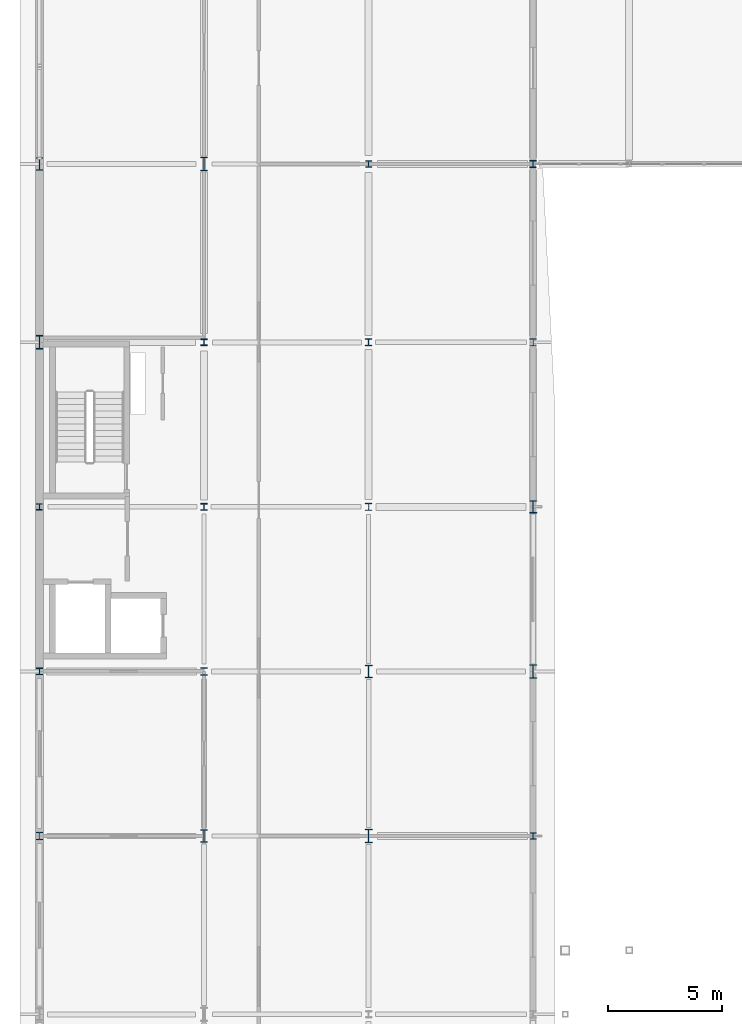
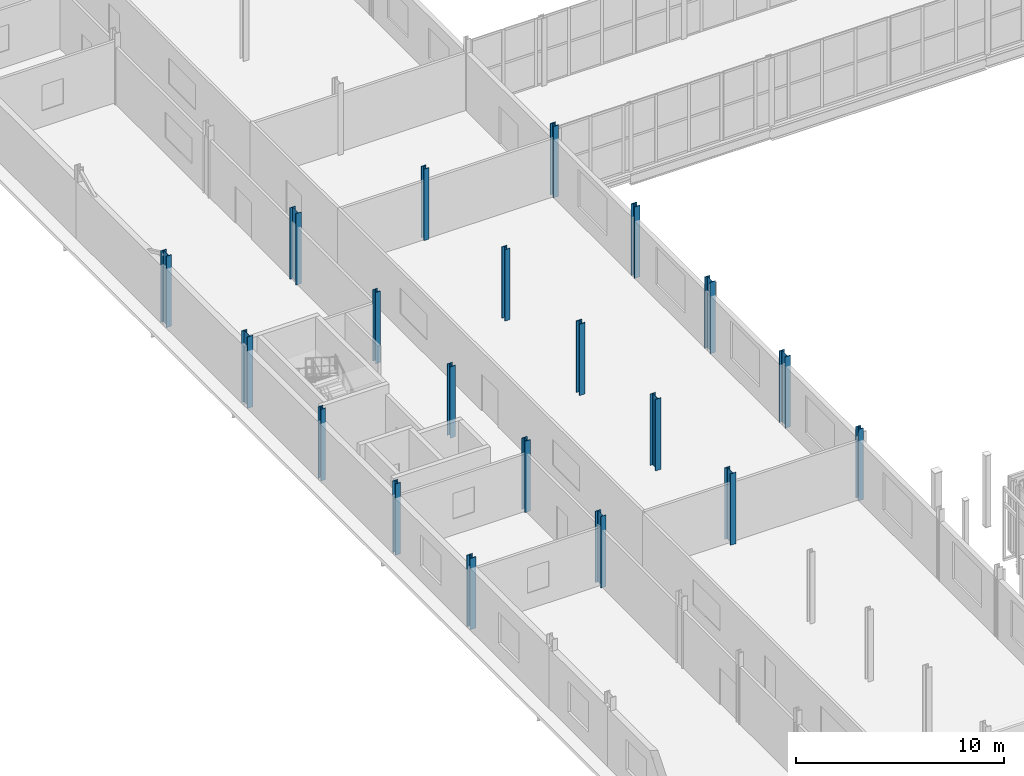
# One storey, part 13 of 138: 20 columns.
"""IFC4 building model written with IfcOpenShell, lengths in metres."""

from ifc_helpers import new_model, si_unit, direction, frame, origin, origin_2d, place, context, subcontext, project, spatial, i_section, extrude, material, material_profile, profile_set, type_object, element, save


model = new_model("IFC4")

# Units and contexts
model_context = context("Model", 3, precision=1e-05, world=origin(), true_north=direction((0.0, 1.0)))
body_context = subcontext(model_context, "Body", "Model", "MODEL_VIEW")
ifc_project = project(units=[si_unit("LENGTHUNIT", "METRE"), si_unit("AREAUNIT", "SQUARE_METRE"), si_unit("VOLUMEUNIT", "CUBIC_METRE"), si_unit("PLANEANGLEUNIT", "RADIAN"), si_unit("MASSUNIT", "GRAM", prefix="KILO")], contexts=[model_context])

# Site, building, storey
site_placement = place(None, origin())
site = spatial("IfcSite", under=ifc_project, at=site_placement, CompositionType="ELEMENT")
building_placement = place(site_placement, origin())
building = spatial("IfcBuilding", under=site, at=building_placement, Name="Vinh Khe Railworks Police Headquarters", CompositionType="ELEMENT")
storey_placement = place(building_placement, frame((0.0, 0.0, 9.0)))
storey = spatial("IfcBuildingStorey", under=building, at=storey_placement, Name="L02", CompositionType="ELEMENT", Elevation=9.0)

# Columns
ifc_material = material(Name="Steel S355JR", Category="steel")
ifc_material_profile_1 = material_profile(ifc_material, i_section(OverallWidth=0.300048828125, OverallDepth=0.550048828125, WebThickness=0.014892578125, FlangeThickness=0.029052734375, FilletRadius=0.027099609375, at=origin_2d()), Name="HEB 550")
ifc_profile_set_1 = profile_set([ifc_material_profile_1], Name="Steel S355JR")
column_type_1 = type_object("IfcColumnType", Name="Steel Column HEB 550", PredefinedType="COLUMN", material=ifc_profile_set_1)
for number, where, z_axis, x_axis, name in (
    (1, (0.60009765625, 96.0, 0.0), (0.0, 0.0, 1.0), (1.0, 0.0, 0.0), "Column COL-L02-SC-05-0130"),
    (2, (7.800048828125, 66.60009765625, 0.0), (0.0, 0.0, 1.0), (1.0, 0.0, 0.0), "Column COL-L02-SC-05-0257"),
    (3, (15.0, 73.800048828125, 0.0), (0.0, 0.0, 1.0), (1.0, 0.0, 0.0), "Column COL-L02-SC-05-0434"),
    (4, (22.199951171875, 81.0, 0.0), (0.0, 0.0, 1.0), (1.0, 0.0, 0.0), "Column COL-L02-SC-05-0601"),
):
    element("IfcColumn", number, at=place(storey_placement, frame(where, z_axis=z_axis, x_axis=x_axis)), inside=storey, type_object=column_type_1, Name=name, PredefinedType="COLUMN", context=body_context, shape_type="SweptSolid", body=[
        extrude(i_section(OverallWidth=0.300048828125, OverallDepth=0.550048828125, WebThickness=0.014892578125, FlangeThickness=0.029052734375, FilletRadius=0.027099609375, at=origin_2d()), origin(), (0.0, 0.0, 1.0), 4.199951171875),
    ])
ifc_material_profile_2 = material_profile(ifc_material, i_section(OverallWidth=0.300048828125, OverallDepth=0.60009765625, WebThickness=0.015380859375, FlangeThickness=0.030029296875, FilletRadius=0.027099609375, at=origin_2d()), Name="HEB 600")
ifc_profile_set_2 = profile_set([ifc_material_profile_2], Name="Steel S355JR")
column_type_2 = type_object("IfcColumnType", Name="Steel Column HEB 600", PredefinedType="COLUMN", material=ifc_profile_set_2)
for number, where, z_axis, x_axis, name in (
    (5, (0.60009765625, 88.199951171875, 0.0), (0.0, 0.0, 1.0), (1.0, 0.0, 0.0), "Column COL-L02-SC-04-0120"),
    (6, (7.800048828125, 96.0, 0.0), (0.0, 0.0, 1.0), (1.0, 0.0, 0.0), "Column COL-L02-SC-04-0297"),
    (7, (15.0, 66.60009765625, 0.0), (0.0, 0.0, 1.0), (1.0, 0.0, 0.0), "Column COL-L02-SC-04-0424"),
    (8, (22.199951171875, 73.800048828125, 0.0), (0.0, 0.0, 1.0), (1.0, 0.0, 0.0), "Column COL-L02-SC-04-0592"),
):
    element("IfcColumn", number, at=place(storey_placement, frame(where, z_axis=z_axis, x_axis=x_axis)), inside=storey, type_object=column_type_2, Name=name, PredefinedType="COLUMN", context=body_context, shape_type="SweptSolid", body=[
        extrude(i_section(OverallWidth=0.300048828125, OverallDepth=0.60009765625, WebThickness=0.015380859375, FlangeThickness=0.030029296875, FilletRadius=0.027099609375, at=origin_2d()), origin(), (0.0, 0.0, 1.0), 4.199951171875),
    ])
ifc_material_profile_3 = material_profile(ifc_material, i_section(OverallWidth=0.26806640625, OverallDepth=0.2900390625, WebThickness=0.01806640625, FlangeThickness=0.032470703125, FilletRadius=0.02392578125, at=origin_2d()), Name="HEM 260")
ifc_profile_set_3 = profile_set([ifc_material_profile_3], Name="Steel S355JR")
column_type_3 = type_object("IfcColumnType", Name="Steel Column HEM 260", PredefinedType="COLUMN", material=ifc_profile_set_3)
for number, where, z_axis, x_axis, name in (
    (9, (0.60009765625, 81.0, 0.0), (0.0, 0.0, 1.0), (1.0, 0.0, 0.0), "Column COL-L02-SC-03-0110"),
    (10, (7.800048828125, 88.199951171875, 0.0), (0.0, 0.0, 1.0), (1.0, 0.0, 0.0), "Column COL-L02-SC-03-0287"),
    (11, (15.0, 96.0, 0.0), (0.0, 0.0, 1.0), (1.0, 0.0, 0.0), "Column COL-L02-SC-03-0464"),
    (12, (22.199951171875, 66.60009765625, 0.0), (0.0, 0.0, 1.0), (1.0, 0.0, 0.0), "Column COL-L02-SC-03-0583"),
):
    element("IfcColumn", number, at=place(storey_placement, frame(where, z_axis=z_axis, x_axis=x_axis)), inside=storey, type_object=column_type_3, Name=name, PredefinedType="COLUMN", context=body_context, shape_type="SweptSolid", body=[
        extrude(i_section(OverallWidth=0.26806640625, OverallDepth=0.2900390625, WebThickness=0.01806640625, FlangeThickness=0.032470703125, FilletRadius=0.02392578125, at=origin_2d()), origin(), (0.0, 0.0, 1.0), 4.199951171875),
    ])
ifc_material_profile_4 = material_profile(ifc_material, i_section(OverallWidth=0.2880859375, OverallDepth=0.31005859375, WebThickness=0.0185546875, FlangeThickness=0.032958984375, FilletRadius=0.02392578125, at=origin_2d()), Name="HEM 280")
ifc_profile_set_4 = profile_set([ifc_material_profile_4], Name="Steel S355JR")
column_type_4 = type_object("IfcColumnType", Name="Steel Column HEM 280", PredefinedType="COLUMN", material=ifc_profile_set_4)
for number, where, z_axis, x_axis, name in (
    (13, (0.60009765625, 73.800048828125, 0.0), (0.0, 0.0, 1.0), (1.0, 0.0, 0.0), "Column COL-L02-SC-02-0100"),
    (14, (7.800048828125, 81.0, 0.0), (0.0, 0.0, 1.0), (1.0, 0.0, 0.0), "Column COL-L02-SC-02-0277"),
    (15, (15.0, 88.199951171875, 0.0), (0.0, 0.0, 1.0), (1.0, 0.0, 0.0), "Column COL-L02-SC-02-0454"),
    (16, (22.199951171875, 96.0, 0.0), (0.0, 0.0, 1.0), (1.0, 0.0, 0.0), "Column COL-L02-SC-02-0619"),
):
    element("IfcColumn", number, at=place(storey_placement, frame(where, z_axis=z_axis, x_axis=x_axis)), inside=storey, type_object=column_type_4, Name=name, PredefinedType="COLUMN", context=body_context, shape_type="SweptSolid", body=[
        extrude(i_section(OverallWidth=0.2880859375, OverallDepth=0.31005859375, WebThickness=0.0185546875, FlangeThickness=0.032958984375, FilletRadius=0.02392578125, at=origin_2d()), origin(), (0.0, 0.0, 1.0), 4.199951171875),
    ])
ifc_material_profile_5 = material_profile(ifc_material, i_section(OverallWidth=0.31005859375, OverallDepth=0.340087890625, WebThickness=0.02099609375, FlangeThickness=0.0390625, FilletRadius=0.027099609375, at=origin_2d()), Name="HEM 300")
ifc_profile_set_5 = profile_set([ifc_material_profile_5], Name="Steel S355JR")
column_type_5 = type_object("IfcColumnType", Name="Steel Column HEM 300", PredefinedType="COLUMN", material=ifc_profile_set_5)
for number, where, z_axis, x_axis, name in (
    (17, (0.60009765625, 66.60009765625, 0.0), (0.0, 0.0, 1.0), (1.0, 0.0, 0.0), "Column COL-L02-SC-01-0090"),
    (18, (7.800048828125, 73.800048828125, 0.0), (0.0, 0.0, 1.0), (1.0, 0.0, 0.0), "Column COL-L02-SC-01-0267"),
    (19, (15.0, 81.0, 0.0), (0.0, 0.0, 1.0), (1.0, 0.0, 0.0), "Column COL-L02-SC-01-0444"),
    (20, (22.199951171875, 88.199951171875, 0.0), (0.0, 0.0, 1.0), (1.0, 0.0, 0.0), "Column COL-L02-SC-01-0610"),
):
    element("IfcColumn", number, at=place(storey_placement, frame(where, z_axis=z_axis, x_axis=x_axis)), inside=storey, type_object=column_type_5, Name=name, PredefinedType="COLUMN", context=body_context, shape_type="SweptSolid", body=[
        extrude(i_section(OverallWidth=0.31005859375, OverallDepth=0.340087890625, WebThickness=0.02099609375, FlangeThickness=0.0390625, FilletRadius=0.027099609375, at=origin_2d()), origin(), (0.0, 0.0, 1.0), 4.199951171875),
    ])

save(model, "model.ifc")
